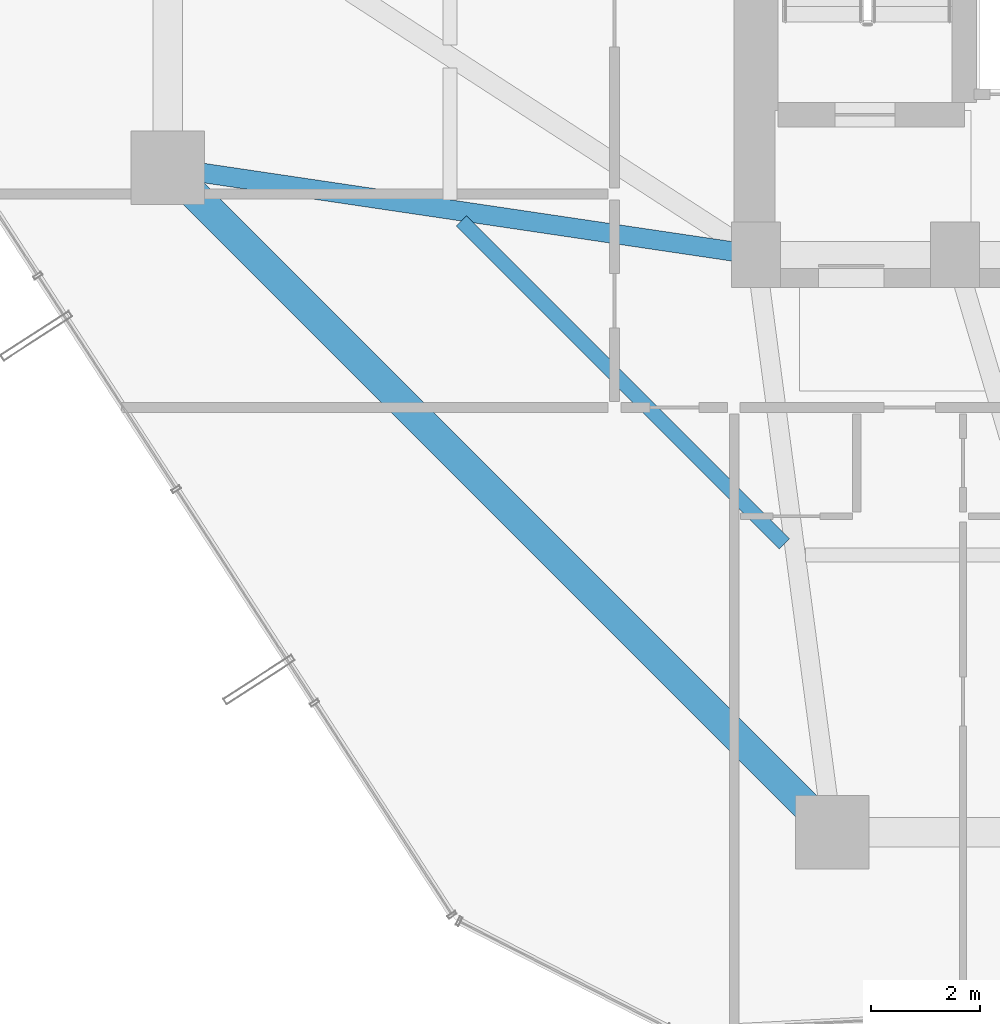
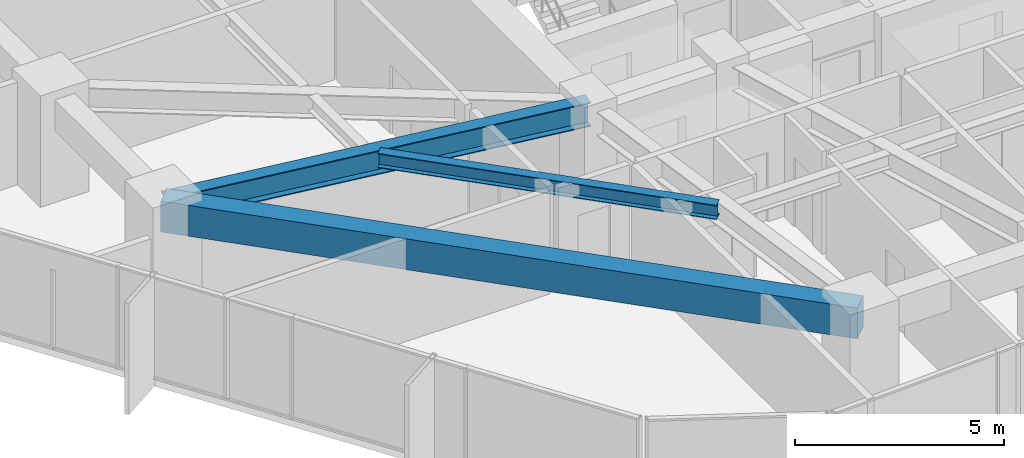
# One storey, part 5 of 37: 3 beams.
"""IFC4 building model written with IfcOpenShell, lengths in metres."""

from ifc_helpers import new_model, si_unit, direction, frame, origin, origin_2d, place, context, subcontext, project, spatial, rectangle, i_section, extrude, material, material_profile, profile_set, type_object, element, save


model = new_model("IFC4")

# Units and contexts
model_context = context("Model", 3, precision=1e-05, world=origin(), true_north=direction((0.0, 1.0)))
body_context = subcontext(model_context, "Body", "Model", "MODEL_VIEW")
ifc_project = project(units=[si_unit("LENGTHUNIT", "METRE"), si_unit("AREAUNIT", "SQUARE_METRE"), si_unit("VOLUMEUNIT", "CUBIC_METRE"), si_unit("PLANEANGLEUNIT", "RADIAN"), si_unit("MASSUNIT", "GRAM", prefix="KILO")], contexts=[model_context])

# Site, building, storey
site_placement = place(None, origin())
site = spatial("IfcSite", under=ifc_project, at=site_placement, CompositionType="ELEMENT")
building_placement = place(site_placement, origin())
building = spatial("IfcBuilding", under=site, at=building_placement, Name="Veraguas Prism Commons", CompositionType="ELEMENT")
storey_placement = place(building_placement, frame((0.0, 0.0, 33.800048828125)))
storey = spatial("IfcBuildingStorey", under=building, at=storey_placement, Name="L08", CompositionType="ELEMENT", Elevation=33.800048828125)

# Beams
ifc_material_1 = material(Name="Steel ASTM A992 Grade 50", Category="steel")
ifc_material_profile_1 = material_profile(ifc_material_1, i_section(OverallWidth=0.260986328125, OverallDepth=0.419921875, WebThickness=0.01171875, FlangeThickness=0.019287109375, at=origin_2d()), Name="W410X114")
ifc_profile_set_1 = profile_set([ifc_material_profile_1], Name="Steel ASTM A992 Grade 50")
beam_type_1 = type_object("IfcBeamType", Name="Lower Floor Joist W410x114", PredefinedType="JOIST", material=ifc_profile_set_1)
beam_1_placement = place(storey_placement, frame((11.79296875, 17.623046875, 2.7900390625), z_axis=(0.707092226423, -0.70712133565, 0.0), x_axis=(0.70712133565, 0.707092226423, 0.0)))
element("IfcBeam", 1, at=beam_1_placement, inside=storey, type_object=beam_type_1, Name="Composite Floor Joist L08-JS09", PredefinedType="JOIST", context=body_context, shape_type="SweptSolid", body=[
    extrude(i_section(OverallWidth=0.260986328125, OverallDepth=0.419921875, WebThickness=0.01171875, FlangeThickness=0.019287109375, at=origin_2d()), origin(), (0.0, 0.0, 1.0), 8.386962890625),
])
ifc_material_2 = material(Name="Concrete C50/60", Category="concrete")
ifc_material_profile_2 = material_profile(ifc_material_2, rectangle(XDim=0.550048828125, YDim=0.89990234375, at=origin_2d()), Name="RC550X900")
ifc_profile_set_2 = profile_set([ifc_material_profile_2], Name="Concrete C50/60")
beam_type_2 = type_object("IfcBeamType", Name="Perimeter Spandrel Lower RC 550x900", PredefinedType="SPANDREL", material=ifc_profile_set_2)
beam_2_placement = place(storey_placement, frame((6.39990234375, 18.60009765625, 2.550048828125), z_axis=(0.707106781187, -0.707106781187, 0.0), x_axis=(0.707106781187, 0.707106781187, 0.0)))
element("IfcBeam", 2, at=beam_2_placement, inside=storey, type_object=beam_type_2, Name="Perimeter Spandrel Beam L08-SP09", PredefinedType="SPANDREL", context=body_context, shape_type="SweptSolid", body=[
    extrude(rectangle(XDim=0.550048828125, YDim=0.89990234375, at=origin_2d()), origin(), (0.0, 0.0, 1.0), 17.253662109375),
])
ifc_material_profile_3 = material_profile(ifc_material_1, i_section(OverallWidth=0.35595703125, OverallDepth=0.700927734375, WebThickness=0.016845703125, FlangeThickness=0.02734375, at=origin_2d()), Name="W690X240")
ifc_profile_set_3 = profile_set([ifc_material_profile_3], Name="Steel ASTM A992 Grade 50")
beam_type_3 = type_object("IfcBeamType", Name="Zone 1 Radial Girder W690x240", PredefinedType="BEAM", material=ifc_profile_set_3)
beam_3_placement = place(storey_placement, frame((6.39990234375, 18.60009765625, 2.6494140625), z_axis=(0.989202261707, -0.146556765224, 0.0), x_axis=(0.146556765224, 0.989202261707, 0.0)))
element("IfcBeam", 3, at=beam_3_placement, inside=storey, type_object=beam_type_3, Name="Radial Floor Girder L08-RD09", PredefinedType="BEAM", context=body_context, shape_type="SweptSolid", body=[
    extrude(i_section(OverallWidth=0.35595703125, OverallDepth=0.700927734375, WebThickness=0.016845703125, FlangeThickness=0.02734375, at=origin_2d()), origin(), (0.0, 0.0, 1.0), 10.91796875),
])

save(model, "model.ifc")
